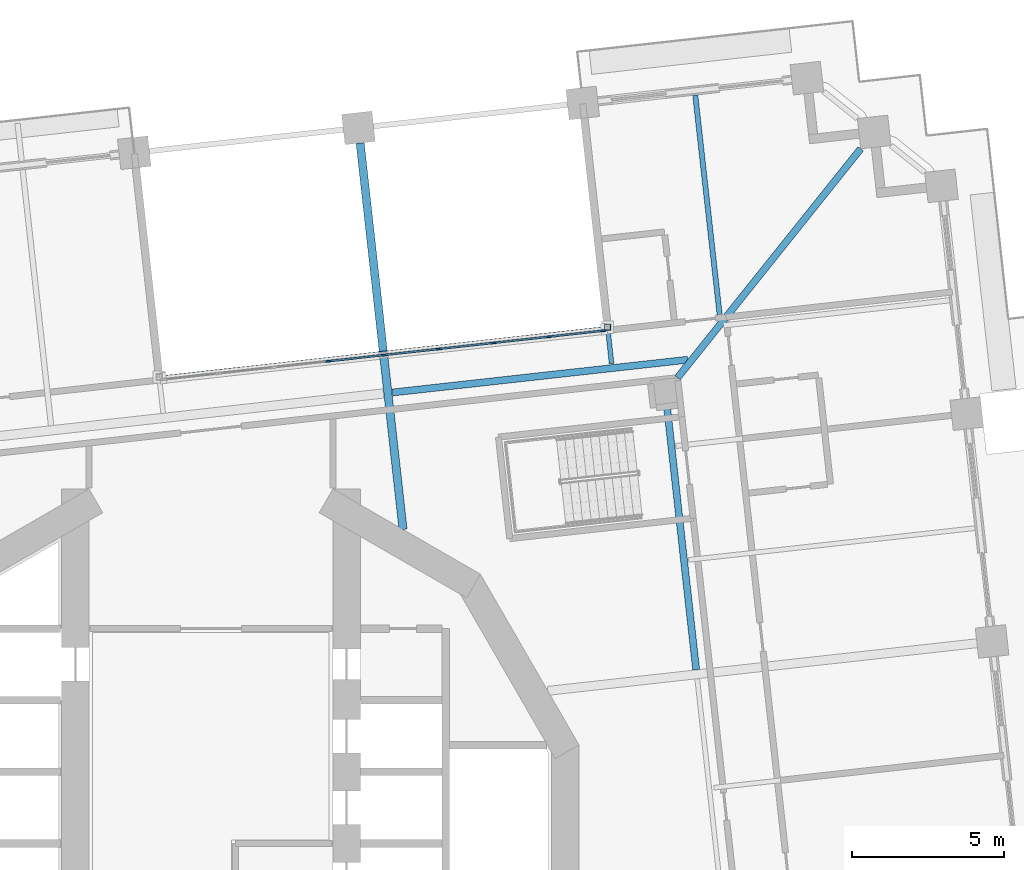
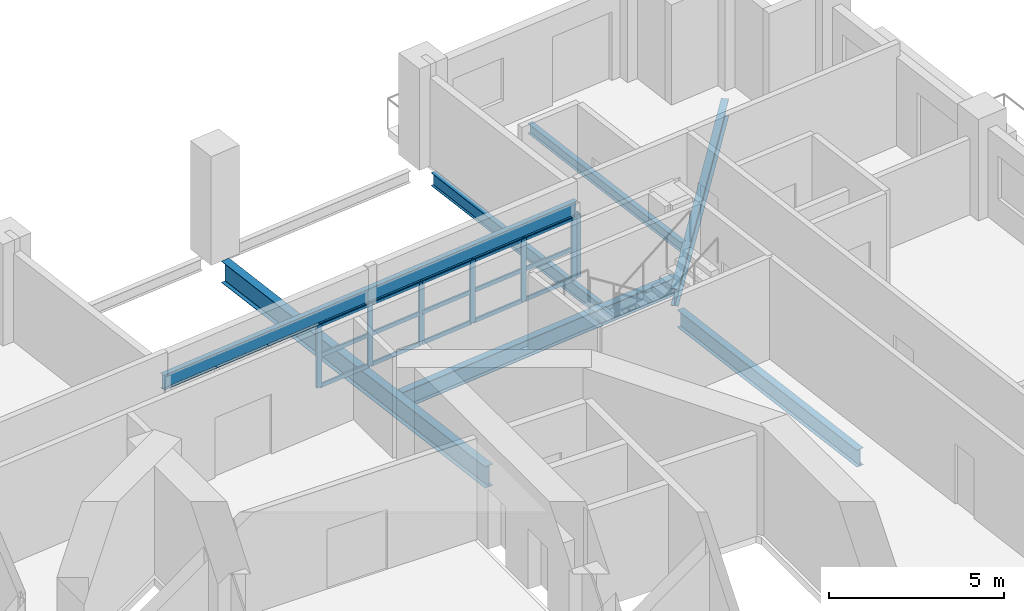
# One storey, part 4 of 20: 22 members, 7 beams, 1 element without a shape of its own.
"""IFC4 building model written with IfcOpenShell, lengths in metres."""

from ifc_helpers import new_model, si_unit, direction, frame, origin, origin_2d, place, context, subcontext, project, spatial, rectangle, hollow_rectangle, i_section, extrude, material, material_profile, profile_set, type_object, element, aggregate, save


model = new_model("IFC4")

# Units and contexts
model_context = context("Model", 3, precision=1e-05, world=origin(), true_north=direction((0.0, 1.0)))
body_context = subcontext(model_context, "Body", "Model", "MODEL_VIEW")
ifc_project = project(units=[si_unit("LENGTHUNIT", "METRE"), si_unit("AREAUNIT", "SQUARE_METRE"), si_unit("VOLUMEUNIT", "CUBIC_METRE"), si_unit("PLANEANGLEUNIT", "RADIAN"), si_unit("MASSUNIT", "GRAM", prefix="KILO")], contexts=[model_context])

# Site, building, storey
site_placement = place(None, origin())
site = spatial("IfcSite", under=ifc_project, at=site_placement, CompositionType="ELEMENT")
building_placement = place(site_placement, origin())
building = spatial("IfcBuilding", under=site, at=building_placement, Name="Cantera Rosa Tower", CompositionType="ELEMENT")
storey_placement = place(building_placement, frame((0.0, 0.0, 46.300048828125)))
storey = spatial("IfcBuildingStorey", under=building, at=storey_placement, Name="L08", CompositionType="ELEMENT", Elevation=46.300048828125)

# Curtain wall, members
ifc_material_1 = material(Name="Aluminium frame with clear glass", Category="aluminium")
curtain_wall_type = type_object("IfcCurtainWallType", Name="CW1 TERRACE POCKET GLAZING", PredefinedType="NOTDEFINED", material=ifc_material_1)
curtain_wall_placement = place(storey_placement, origin())
curtain_wall = element("IfcCurtainWall", 1, at=curtain_wall_placement, inside=storey, type_object=curtain_wall_type, Name="CW1 CW1", PredefinedType="NOTDEFINED")
ifc_material_2 = material(Name="Anodised bronze aluminium", Category="aluminium")
ifc_material_profile_1 = material_profile(ifc_material_2, rectangle(XDim=0.06005859375, YDim=0.179931640625, at=origin_2d()), Name="CW-MULLION 60x180 POCKET")
ifc_profile_set_1 = profile_set([ifc_material_profile_1], Name="Anodised bronze aluminium")
member_type_1 = type_object("IfcMemberType", Name="CW-MULLION 60x180 POCKET", PredefinedType="MULLION", material=ifc_profile_set_1)
member_1_placement = place(storey_placement, frame((12.867919921875, 16.822265625, 0.0), z_axis=(0.0, 0.0, 1.0), x_axis=(0.110312555543, -0.993896946413, 0.0)))
member_1 = element("IfcMember", 2, at=member_1_placement, type_object=member_type_1, Name="CW1 mullion 1", PredefinedType="MULLION", context=body_context, shape_type="SweptSolid", body=[
    extrude(rectangle(XDim=0.06005859375, YDim=0.179931640625, at=origin_2d()), origin(), (0.0, 0.0, 1.0), 2.18603515625),
])
member_2_placement = place(storey_placement, frame((11.090087890625, 16.624755859375, 0.0), z_axis=(0.0, 0.0, 1.0), x_axis=(0.110312555543, -0.993896946413, 0.0)))
member_2 = element("IfcMember", 3, at=member_2_placement, type_object=member_type_1, Name="CW1 mullion 2", PredefinedType="MULLION", context=body_context, shape_type="SweptSolid", body=[
    extrude(rectangle(XDim=0.06005859375, YDim=0.179931640625, at=origin_2d()), origin(), (0.0, 0.0, 1.0), 2.18603515625),
])
member_3_placement = place(storey_placement, frame((9.282470703125, 16.42431640625, 0.0), z_axis=(0.0, 0.0, 1.0), x_axis=(0.110312555543, -0.993896946413, 0.0)))
member_3 = element("IfcMember", 4, at=member_3_placement, type_object=member_type_1, Name="CW1 mullion 3", PredefinedType="MULLION", context=body_context, shape_type="SweptSolid", body=[
    extrude(rectangle(XDim=0.06005859375, YDim=0.179931640625, at=origin_2d()), origin(), (0.0, 0.0, 1.0), 2.18603515625),
])
member_4_placement = place(storey_placement, frame((7.474609375, 16.2236328125, 0.0), z_axis=(0.0, 0.0, 1.0), x_axis=(0.110312555543, -0.993896946413, 0.0)))
member_4 = element("IfcMember", 5, at=member_4_placement, type_object=member_type_1, Name="CW1 mullion 4", PredefinedType="MULLION", context=body_context, shape_type="SweptSolid", body=[
    extrude(rectangle(XDim=0.06005859375, YDim=0.179931640625, at=origin_2d()), origin(), (0.0, 0.0, 1.0), 2.18603515625),
])
member_5_placement = place(storey_placement, frame((5.6669921875, 16.02294921875, 0.0), z_axis=(0.0, 0.0, 1.0), x_axis=(0.110312555543, -0.993896946413, 0.0)))
member_5 = element("IfcMember", 6, at=member_5_placement, type_object=member_type_1, Name="CW1 mullion 5", PredefinedType="MULLION", context=body_context, shape_type="SweptSolid", body=[
    extrude(rectangle(XDim=0.06005859375, YDim=0.179931640625, at=origin_2d()), origin(), (0.0, 0.0, 1.0), 2.18603515625),
])
member_6_placement = place(storey_placement, frame((3.859375, 15.822265625, 0.0), z_axis=(0.0, 0.0, 1.0), x_axis=(0.110312555543, -0.993896946413, 0.0)))
member_6 = element("IfcMember", 7, at=member_6_placement, type_object=member_type_1, Name="CW1 mullion 6", PredefinedType="MULLION", context=body_context, shape_type="SweptSolid", body=[
    extrude(rectangle(XDim=0.06005859375, YDim=0.179931640625, at=origin_2d()), origin(), (0.0, 0.0, 1.0), 2.18603515625),
])
ifc_material_3 = material(Name="Anodised bronze aluminium", Category="aluminium")
ifc_material_profile_2 = material_profile(ifc_material_3, rectangle(XDim=0.06005859375, YDim=0.139892578125, at=origin_2d()), Name="CW-TRANSOM 60x140 POCKET")
ifc_profile_set_2 = profile_set([ifc_material_profile_2], Name="Anodised bronze aluminium")
member_type_2 = type_object("IfcMemberType", Name="CW-TRANSOM 60x140 POCKET", PredefinedType="USERDEFINED", material=ifc_profile_set_2)
member_7_placement = place(storey_placement, frame((12.838134765625, 16.81884765625, 0.030029296875), z_axis=(-0.993899224529, -0.110292028184, 0.0), x_axis=(0.110292028184, -0.993899224529, 0.0)))
member_7 = element("IfcMember", 8, at=member_7_placement, type_object=member_type_2, Name="CW1 transom 1.1", ObjectType="TRANSOM", PredefinedType="USERDEFINED", context=body_context, shape_type="SweptSolid", body=[
    extrude(rectangle(XDim=0.06005859375, YDim=0.139892578125, at=origin_2d()), origin(), (0.0, 0.0, 1.0), 1.728759765625),
])
member_8_placement = place(storey_placement, frame((12.838134765625, 16.81884765625, 1.093017578125), z_axis=(-0.993899224529, -0.110292028184, 0.0), x_axis=(0.110292028184, -0.993899224529, 0.0)))
member_8 = element("IfcMember", 9, at=member_8_placement, type_object=member_type_2, Name="CW1 transom 1.2", ObjectType="TRANSOM", PredefinedType="USERDEFINED", context=body_context, shape_type="SweptSolid", body=[
    extrude(rectangle(XDim=0.06005859375, YDim=0.139892578125, at=origin_2d()), origin(), (0.0, 0.0, 1.0), 1.728759765625),
])
member_9_placement = place(storey_placement, frame((12.838134765625, 16.81884765625, 2.156005859375), z_axis=(-0.993899224529, -0.110292028184, 0.0), x_axis=(0.110292028184, -0.993899224529, 0.0)))
member_9 = element("IfcMember", 10, at=member_9_placement, type_object=member_type_2, Name="CW1 transom 1.3", ObjectType="TRANSOM", PredefinedType="USERDEFINED", context=body_context, shape_type="SweptSolid", body=[
    extrude(rectangle(XDim=0.06005859375, YDim=0.139892578125, at=origin_2d()), origin(), (0.0, 0.0, 1.0), 1.728759765625),
])
member_10_placement = place(storey_placement, frame((11.060302734375, 16.62158203125, 0.030029296875), z_axis=(-0.993892195886, -0.110355348566, 0.0), x_axis=(0.110355348566, -0.993892195886, 0.0)))
member_10 = element("IfcMember", 11, at=member_10_placement, type_object=member_type_2, Name="CW1 transom 2.1", ObjectType="TRANSOM", PredefinedType="USERDEFINED", context=body_context, shape_type="SweptSolid", body=[
    extrude(rectangle(XDim=0.06005859375, YDim=0.139892578125, at=origin_2d()), origin(), (0.0, 0.0, 1.0), 1.7587890625),
])
member_11_placement = place(storey_placement, frame((11.060302734375, 16.62158203125, 1.093017578125), z_axis=(-0.993892195886, -0.110355348566, 0.0), x_axis=(0.110355348566, -0.993892195886, 0.0)))
member_11 = element("IfcMember", 12, at=member_11_placement, type_object=member_type_2, Name="CW1 transom 2.2", ObjectType="TRANSOM", PredefinedType="USERDEFINED", context=body_context, shape_type="SweptSolid", body=[
    extrude(rectangle(XDim=0.06005859375, YDim=0.139892578125, at=origin_2d()), origin(), (0.0, 0.0, 1.0), 1.7587890625),
])
member_12_placement = place(storey_placement, frame((11.060302734375, 16.62158203125, 2.156005859375), z_axis=(-0.993892195886, -0.110355348566, 0.0), x_axis=(0.110355348566, -0.993892195886, 0.0)))
member_12 = element("IfcMember", 13, at=member_12_placement, type_object=member_type_2, Name="CW1 transom 2.3", ObjectType="TRANSOM", PredefinedType="USERDEFINED", context=body_context, shape_type="SweptSolid", body=[
    extrude(rectangle(XDim=0.06005859375, YDim=0.139892578125, at=origin_2d()), origin(), (0.0, 0.0, 1.0), 1.7587890625),
])
member_13_placement = place(storey_placement, frame((9.25244140625, 16.4208984375, 0.030029296875), z_axis=(-0.993890505044, -0.11037057571, 0.0), x_axis=(0.11037057571, -0.993890505044, 0.0)))
member_13 = element("IfcMember", 14, at=member_13_placement, type_object=member_type_2, Name="CW1 transom 3.1", ObjectType="TRANSOM", PredefinedType="USERDEFINED", context=body_context, shape_type="SweptSolid", body=[
    extrude(rectangle(XDim=0.06005859375, YDim=0.139892578125, at=origin_2d()), origin(), (0.0, 0.0, 1.0), 1.758544921875),
])
member_14_placement = place(storey_placement, frame((9.25244140625, 16.4208984375, 1.093017578125), z_axis=(-0.993890505044, -0.11037057571, 0.0), x_axis=(0.11037057571, -0.993890505044, 0.0)))
member_14 = element("IfcMember", 15, at=member_14_placement, type_object=member_type_2, Name="CW1 transom 3.2", ObjectType="TRANSOM", PredefinedType="USERDEFINED", context=body_context, shape_type="SweptSolid", body=[
    extrude(rectangle(XDim=0.06005859375, YDim=0.139892578125, at=origin_2d()), origin(), (0.0, 0.0, 1.0), 1.758544921875),
])
member_15_placement = place(storey_placement, frame((9.25244140625, 16.4208984375, 2.156005859375), z_axis=(-0.993890505044, -0.11037057571, 0.0), x_axis=(0.11037057571, -0.993890505044, 0.0)))
member_15 = element("IfcMember", 16, at=member_15_placement, type_object=member_type_2, Name="CW1 transom 3.3", ObjectType="TRANSOM", PredefinedType="USERDEFINED", context=body_context, shape_type="SweptSolid", body=[
    extrude(rectangle(XDim=0.06005859375, YDim=0.139892578125, at=origin_2d()), origin(), (0.0, 0.0, 1.0), 1.758544921875),
])
member_16_placement = place(storey_placement, frame((7.44482421875, 16.22021484375, 0.030029296875), z_axis=(-0.993907411717, -0.110218224148, 0.0), x_axis=(0.110218224148, -0.993907411717, 0.0)))
member_16 = element("IfcMember", 17, at=member_16_placement, type_object=member_type_2, Name="CW1 transom 4.1", ObjectType="TRANSOM", PredefinedType="USERDEFINED", context=body_context, shape_type="SweptSolid", body=[
    extrude(rectangle(XDim=0.06005859375, YDim=0.139892578125, at=origin_2d()), origin(), (0.0, 0.0, 1.0), 1.7587890625),
])
member_17_placement = place(storey_placement, frame((7.44482421875, 16.22021484375, 1.093017578125), z_axis=(-0.993907411717, -0.110218224148, 0.0), x_axis=(0.110218224148, -0.993907411717, 0.0)))
member_17 = element("IfcMember", 18, at=member_17_placement, type_object=member_type_2, Name="CW1 transom 4.2", ObjectType="TRANSOM", PredefinedType="USERDEFINED", context=body_context, shape_type="SweptSolid", body=[
    extrude(rectangle(XDim=0.06005859375, YDim=0.139892578125, at=origin_2d()), origin(), (0.0, 0.0, 1.0), 1.7587890625),
])
member_18_placement = place(storey_placement, frame((7.44482421875, 16.22021484375, 2.156005859375), z_axis=(-0.993907411717, -0.110218224148, 0.0), x_axis=(0.110218224148, -0.993907411717, 0.0)))
member_18 = element("IfcMember", 19, at=member_18_placement, type_object=member_type_2, Name="CW1 transom 4.3", ObjectType="TRANSOM", PredefinedType="USERDEFINED", context=body_context, shape_type="SweptSolid", body=[
    extrude(rectangle(XDim=0.06005859375, YDim=0.139892578125, at=origin_2d()), origin(), (0.0, 0.0, 1.0), 1.7587890625),
])
member_19_placement = place(storey_placement, frame((5.63720703125, 16.01953125, 0.030029296875), z_axis=(-0.993907411717, -0.110218224148, 0.0), x_axis=(0.110218224148, -0.993907411717, 0.0)))
member_19 = element("IfcMember", 20, at=member_19_placement, type_object=member_type_2, Name="CW1 transom 5.1", ObjectType="TRANSOM", PredefinedType="USERDEFINED", context=body_context, shape_type="SweptSolid", body=[
    extrude(rectangle(XDim=0.06005859375, YDim=0.139892578125, at=origin_2d()), origin(), (0.0, 0.0, 1.0), 1.7587890625),
])
member_20_placement = place(storey_placement, frame((5.63720703125, 16.01953125, 1.093017578125), z_axis=(-0.993907411717, -0.110218224148, 0.0), x_axis=(0.110218224148, -0.993907411717, 0.0)))
member_20 = element("IfcMember", 21, at=member_20_placement, type_object=member_type_2, Name="CW1 transom 5.2", ObjectType="TRANSOM", PredefinedType="USERDEFINED", context=body_context, shape_type="SweptSolid", body=[
    extrude(rectangle(XDim=0.06005859375, YDim=0.139892578125, at=origin_2d()), origin(), (0.0, 0.0, 1.0), 1.7587890625),
])
member_21_placement = place(storey_placement, frame((5.63720703125, 16.01953125, 2.156005859375), z_axis=(-0.993907411717, -0.110218224148, 0.0), x_axis=(0.110218224148, -0.993907411717, 0.0)))
member_21 = element("IfcMember", 22, at=member_21_placement, type_object=member_type_2, Name="CW1 transom 5.3", ObjectType="TRANSOM", PredefinedType="USERDEFINED", context=body_context, shape_type="SweptSolid", body=[
    extrude(rectangle(XDim=0.06005859375, YDim=0.139892578125, at=origin_2d()), origin(), (0.0, 0.0, 1.0), 1.7587890625),
])
aggregate(curtain_wall, [member_1, member_2, member_3, member_4, member_5, member_6, member_7, member_8, member_9, member_10, member_11, member_12, member_13, member_14, member_15, member_16, member_17, member_18, member_19, member_20, member_21])

# Member
ifc_material_4 = material(Name="Steel ASTM A992 (Fy 345 MPa)", Category="steel")
ifc_material_profile_3 = material_profile(ifc_material_4, hollow_rectangle(XDim=0.199951171875, YDim=0.199951171875, WallThickness=0.010009765625, at=origin_2d()), Name="LINTEL POST RHS 200x200x10")
ifc_profile_set_3 = profile_set([ifc_material_profile_3], Name="Steel ASTM A992 (Fy 345 MPa)")
member_type_3 = type_object("IfcMemberType", Name="LINTEL POST RHS 200x200x10", PredefinedType="USERDEFINED", material=ifc_profile_set_3)
member_22_placement = place(storey_placement, frame((13.010986328125, 16.938720703125, 0.0), z_axis=(0.0, 0.0, 1.0), x_axis=(1.0, 0.0, 0.0)))
element("IfcMember", 23, at=member_22_placement, inside=storey, type_object=member_type_3, Name="LINTEL POST L08-1", ObjectType="LINTEL POST", PredefinedType="USERDEFINED", context=body_context, shape_type="SweptSolid", body=[
    extrude(hollow_rectangle(XDim=0.199951171875, YDim=0.199951171875, WallThickness=0.010009765625, at=origin_2d()), origin(), (0.0, 0.0, 1.0), 2.18798828125),
])

# Beams
ifc_material_5 = material(Name="Steel ASTM A992 (Fy 345 MPa)", Category="steel")
ifc_material_profile_4 = material_profile(ifc_material_5, i_section(OverallWidth=0.154052734375, OverallDepth=0.4599609375, WebThickness=0.009033203125, FlangeThickness=0.015380859375, FilletRadius=0.01025390625, at=origin_2d()), Name="W460X68")
ifc_profile_set_4 = profile_set([ifc_material_profile_4], Name="Steel ASTM A992 (Fy 345 MPa)")
beam_type_1 = type_object("IfcBeamType", Name="STEEL BEAM W460X68", PredefinedType="BEAM", material=ifc_profile_set_4)
beam_1_placement = place(storey_placement, frame((12.249755859375, 23.796630859375, -0.47998046875), z_axis=(0.110312435488, -0.993896959738, 0.0), x_axis=(0.993896959738, 0.110312435488, 0.0)))
element("IfcBeam", 24, at=beam_1_placement, inside=storey, type_object=beam_type_1, Name="G-Z1-05 L08", PredefinedType="BEAM", context=body_context, shape_type="SweptSolid", body=[
    extrude(i_section(OverallWidth=0.154052734375, OverallDepth=0.4599609375, WebThickness=0.009033203125, FlangeThickness=0.015380859375, FilletRadius=0.01025390625, at=origin_2d()), origin(), (0.0, 0.0, 1.0), 8.10009765625),
])
ifc_material_6 = material(Name="Steel ASTM A992 (Fy 345 MPa)", Category="steel")
ifc_material_profile_5 = material_profile(ifc_material_6, i_section(OverallWidth=0.166015625, OverallDepth=0.528076171875, WebThickness=0.009765625, FlangeThickness=0.013671875, FilletRadius=0.0126953125, at=origin_2d()), Name="W530X74")
ifc_profile_set_5 = profile_set([ifc_material_profile_5], Name="Steel ASTM A992 (Fy 345 MPa)")
beam_type_2 = type_object("IfcBeamType", Name="STEEL BEAM W530X74", PredefinedType="BEAM", material=ifc_profile_set_5)
beam_2_placement = place(storey_placement, frame((12.966796875, 16.88330078125, 2.451904296875), z_axis=(-0.993897094914, -0.110311217573, 0.0), x_axis=(0.110311217573, -0.993897094914, 0.0)))
element("IfcBeam", 25, at=beam_2_placement, inside=storey, type_object=beam_type_2, Name="LINTEL SL-L08", PredefinedType="BEAM", context=body_context, shape_type="SweptSolid", body=[
    extrude(i_section(OverallWidth=0.166015625, OverallDepth=0.528076171875, WebThickness=0.009765625, FlangeThickness=0.013671875, FilletRadius=0.0126953125, at=origin_2d()), origin(), (0.0, 0.0, 1.0), 14.699951171875),
])
ifc_material_7 = material(Name="Steel ASTM A992 (Fy 345 MPa)", Category="steel")
ifc_material_profile_6 = material_profile(ifc_material_7, i_section(OverallWidth=0.22802734375, OverallDepth=0.60205078125, WebThickness=0.010498046875, FlangeThickness=0.014892578125, FilletRadius=0.0126953125, at=origin_2d()), Name="W610X101")
ifc_profile_set_6 = profile_set([ifc_material_profile_6], Name="Steel ASTM A992 (Fy 345 MPa)")
beam_type_3 = type_object("IfcBeamType", Name="STEEL BEAM W610X101", PredefinedType="BEAM", material=ifc_profile_set_6)
beam_3_placement = place(storey_placement, frame((21.31591796875, 22.79052734375, -0.551025390625), z_axis=(-0.624787924463, -0.780794498857, 0.0), x_axis=(0.780794498857, -0.624787924463, 0.0)))
element("IfcBeam", 26, at=beam_3_placement, inside=storey, type_object=beam_type_3, Name="CB-Z1-01 L08", PredefinedType="BEAM", context=body_context, shape_type="SweptSolid", body=[
    extrude(i_section(OverallWidth=0.22802734375, OverallDepth=0.60205078125, WebThickness=0.010498046875, FlangeThickness=0.014892578125, FilletRadius=0.0126953125, at=origin_2d()), origin(), (0.0, 0.0, 1.0), 9.616455078125),
])
beam_4_placement = place(storey_placement, frame((15.918212890625, 5.70068359375, -0.551025390625), z_axis=(-0.110298932846, 0.993898458301, 0.0), x_axis=(-0.993898458301, -0.110298932846, 0.0)))
element("IfcBeam", 27, at=beam_4_placement, inside=storey, type_object=beam_type_3, Name="RB-Z1-09 L08", PredefinedType="BEAM", context=body_context, shape_type="SweptSolid", body=[
    extrude(i_section(OverallWidth=0.22802734375, OverallDepth=0.60205078125, WebThickness=0.010498046875, FlangeThickness=0.014892578125, FilletRadius=0.0126953125, at=origin_2d()), origin(), (0.0, 0.0, 1.0), 8.68994140625),
])
ifc_material_8 = material(Name="Steel ASTM A992 (Fy 345 MPa)", Category="steel")
ifc_material_profile_7 = material_profile(ifc_material_8, i_section(OverallWidth=0.22900390625, OverallDepth=0.612060546875, WebThickness=0.011962890625, FlangeThickness=0.01953125, FilletRadius=0.0126953125, at=origin_2d()), Name="W610X125")
ifc_profile_set_7 = profile_set([ifc_material_profile_7], Name="Steel ASTM A992 (Fy 345 MPa)")
beam_type_4 = type_object("IfcBeamType", Name="STEEL BEAM W610X125", PredefinedType="BEAM", material=ifc_profile_set_7)
beam_5_placement = place(storey_placement, frame((5.9541015625, 14.797119140625, -0.55615234375), z_axis=(0.993898078625, 0.110302354035, 0.0), x_axis=(-0.110302354035, 0.993898078625, 0.0)))
element("IfcBeam", 28, at=beam_5_placement, inside=storey, type_object=beam_type_4, Name="RB-Z1-03 L08", PredefinedType="BEAM", context=body_context, shape_type="SweptSolid", body=[
    extrude(i_section(OverallWidth=0.22900390625, OverallDepth=0.612060546875, WebThickness=0.011962890625, FlangeThickness=0.01953125, FilletRadius=0.0126953125, at=origin_2d()), origin(), (0.0, 0.0, 1.0), 9.75),
])
ifc_material_9 = material(Name="Steel ASTM A992 (Fy 345 MPa)", Category="steel")
ifc_material_profile_8 = material_profile(ifc_material_9, i_section(OverallWidth=0.26708984375, OverallDepth=0.75390625, WebThickness=0.01318359375, FlangeThickness=0.01708984375, FilletRadius=0.0166015625, at=origin_2d()), Name="W760X147")
ifc_profile_set_8 = profile_set([ifc_material_profile_8], Name="Steel ASTM A992 (Fy 345 MPa)")
beam_type_5 = type_object("IfcBeamType", Name="STEEL BEAM W760X147", PredefinedType="BEAM", material=ifc_profile_set_8)
beam_6_placement = place(storey_placement, frame((4.894775390625, 22.980224609375, -0.626953125), z_axis=(0.11031177493, -0.993897033053, 0.0), x_axis=(0.993897033053, 0.11031177493, 0.0)))
element("IfcBeam", 29, at=beam_6_placement, inside=storey, type_object=beam_type_5, Name="G-Z1-06 L08", PredefinedType="BEAM", context=body_context, shape_type="SweptSolid", body=[
    extrude(i_section(OverallWidth=0.26708984375, OverallDepth=0.75390625, WebThickness=0.01318359375, FlangeThickness=0.01708984375, FilletRadius=0.0166015625, at=origin_2d()), origin(), (0.0, 0.0, 1.0), 12.754638671875),
])
ifc_material_10 = material(Name="Steel ASTM A992 (Fy 345 MPa)", Category="steel")
ifc_material_profile_9 = material_profile(ifc_material_10, i_section(OverallWidth=0.1708984375, OverallDepth=0.35595703125, WebThickness=0.00732421875, FlangeThickness=0.01171875, FilletRadius=0.010009765625, at=origin_2d()), Name="W360X51")
ifc_profile_set_9 = profile_set([ifc_material_profile_9], Name="Steel ASTM A992 (Fy 345 MPa)")
beam_type_6 = type_object("IfcBeamType", Name="STEEL JOIST W360X51", PredefinedType="JOIST", material=ifc_profile_set_9)
beam_7_placement = place(storey_placement, frame((15.888427734375, 24.552490234375, -0.427978515625), z_axis=(0.110326513132, -0.993895397162, 0.0), x_axis=(0.993895397162, 0.110326513132, 0.0)))
element("IfcBeam", 30, at=beam_7_placement, inside=storey, type_object=beam_type_6, Name="B-Z1-06 L08", PredefinedType="JOIST", context=body_context, shape_type="SweptSolid", body=[
    extrude(i_section(OverallWidth=0.1708984375, OverallDepth=0.35595703125, WebThickness=0.00732421875, FlangeThickness=0.01171875, FilletRadius=0.010009765625, at=origin_2d()), origin(), (0.0, 0.0, 1.0), 7.39990234375),
])

save(model, "model.ifc")
